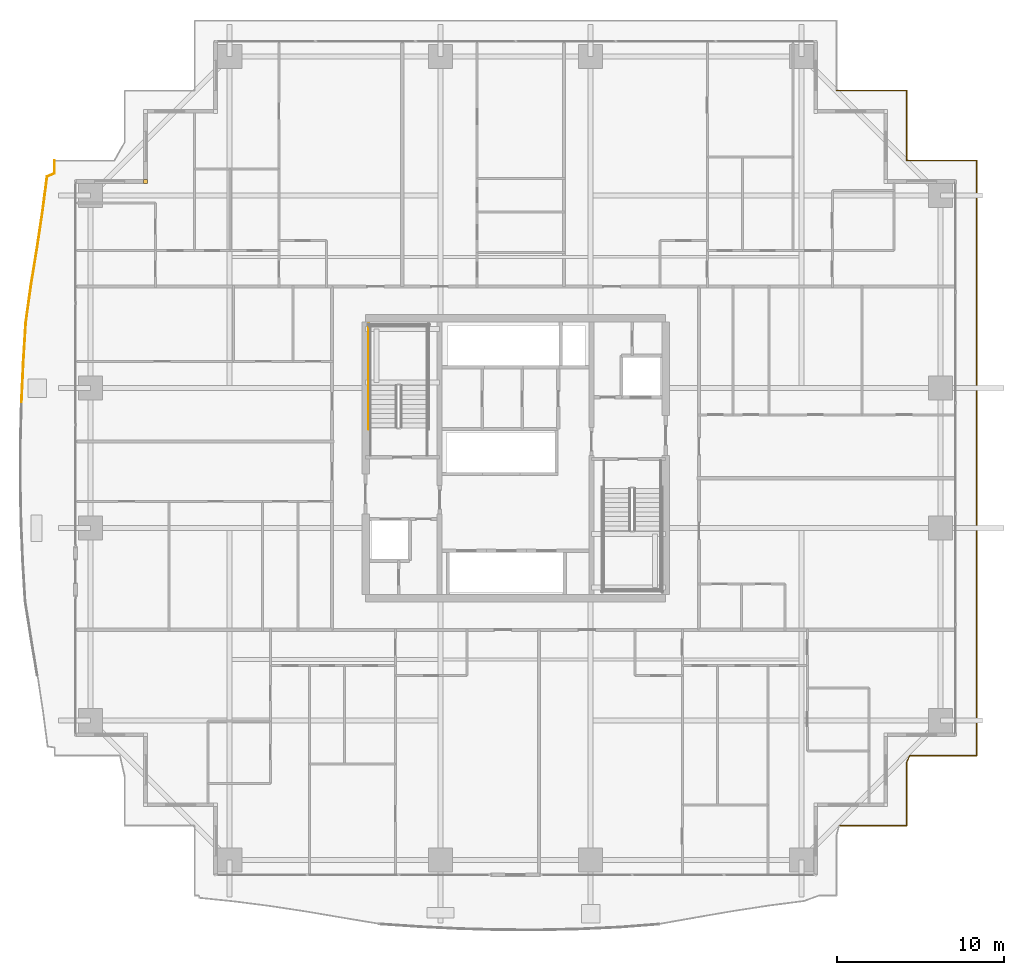
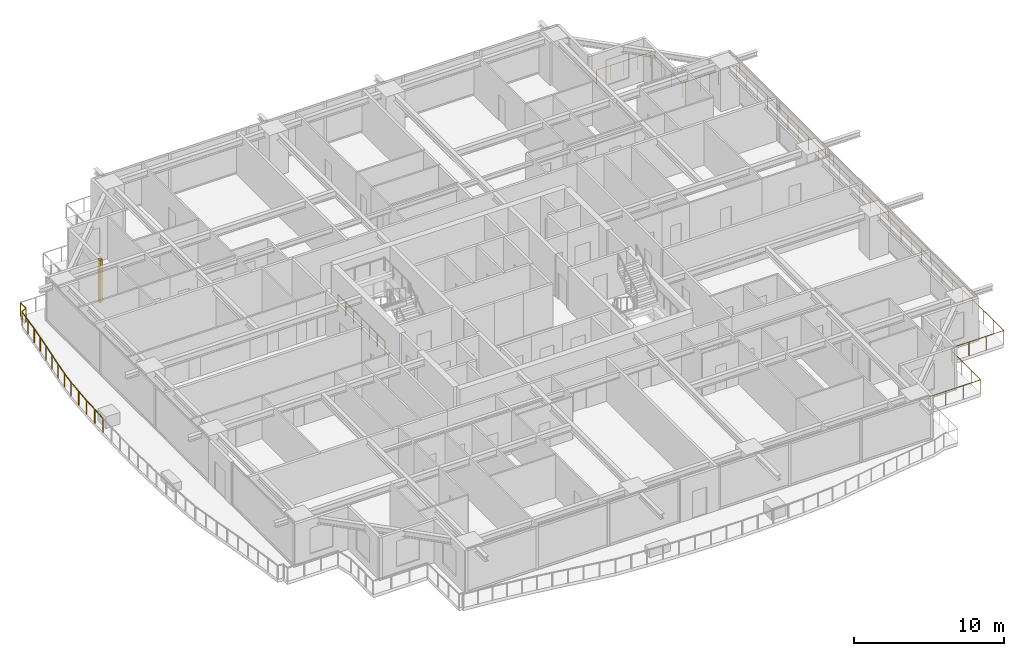
# One storey, part 37 of 39: 3 railings, 1 covering.
"""IFC4 building model written with IfcOpenShell, lengths in metres."""

from ifc_helpers import new_model, si_unit, direction, frame, origin, origin_2d, place, context, subcontext, project, spatial, rectangle, circle, extrude, source, transform, mapped, material, layer, layer_set, type_object, element, save


model = new_model("IFC4")

# Units and contexts
model_context = context("Model", 3, precision=1e-05, world=origin(), true_north=direction((0.0, 1.0)))
body_context = subcontext(model_context, "Body", "Model", "MODEL_VIEW")
ifc_project = project(units=[si_unit("LENGTHUNIT", "METRE"), si_unit("AREAUNIT", "SQUARE_METRE"), si_unit("VOLUMEUNIT", "CUBIC_METRE"), si_unit("PLANEANGLEUNIT", "RADIAN"), si_unit("MASSUNIT", "GRAM", prefix="KILO")], contexts=[model_context])

# Site, building, storey
site_placement = place(None, origin())
site = spatial("IfcSite", under=ifc_project, at=site_placement, CompositionType="ELEMENT")
building_placement = place(site_placement, origin())
building = spatial("IfcBuilding", under=site, at=building_placement, Name="Serunith Strait Residences", CompositionType="ELEMENT")
storey_placement = place(building_placement, frame((0.0, 0.0, 60.449951171875)))
storey = spatial("IfcBuildingStorey", under=building, at=storey_placement, Name="L14", CompositionType="ELEMENT", Elevation=60.449951171875)

# Railings
ifc_material_1 = material(Name="Stainless Steel & Laminated Glass Balustrade", Category="steel")
railing_type_1 = type_object("IfcRailingType", Name="RLG-BALC-1150", PredefinedType="BALUSTRADE", material=ifc_material_1)
railing_1_placement = place(storey_placement, frame((2.763671875, 28.5771484375, -0.050048828125)))
element("IfcRailing", 1, at=railing_1_placement, inside=storey, type_object=railing_type_1, Name="L14 Swirling Balcony Perimeter Balustrade 3", PredefinedType="BALUSTRADE", context=body_context, shape_type="SweptSolid", body=[
    extrude(circle(Radius=0.02392578125, at=origin_2d()), frame((0.0, 0.001953125, 1.1259765625), z_axis=(0.045542288004, 0.998962411707, 0.0), x_axis=(-0.998962411707, 0.045542288004, 0.0)), (0.0, 0.0, 1.0), 2.381591796875),
    extrude(circle(Radius=0.02392578125, at=origin_2d()), frame((0.10888671875, 2.385009765625, 1.1259765625), z_axis=(0.061663296043, 0.998097008272, 0.0), x_axis=(-0.998097008272, 0.061663296043, 0.0)), (0.0, 0.0, 1.0), 2.355712890625),
    extrude(circle(Radius=0.02392578125, at=origin_2d()), frame((0.25439453125, 4.740234375, 1.1259765625), z_axis=(0.13714180746, 0.990551424534, 0.0), x_axis=(-0.990551424534, 0.13714180746, 0.0)), (0.0, 0.0, 1.0), 2.288818359375),
    extrude(circle(Radius=0.02392578125, at=origin_2d()), frame((0.56884765625, 7.011474609375, 1.1259765625), z_axis=(0.161414880653, 0.986886638021, 0.0), x_axis=(-0.986886638021, 0.161414880653, 0.0)), (0.0, 0.0, 1.0), 2.225341796875),
    extrude(circle(Radius=0.02392578125, at=origin_2d()), frame((0.9287109375, 9.211669921875, 1.1259765625), z_axis=(0.148990824579, 0.98883857843, 0.0), x_axis=(-0.98883857843, 0.148990824579, 0.0)), (0.0, 0.0, 1.0), 2.18017578125),
    extrude(circle(Radius=0.02392578125, at=origin_2d()), frame((1.254150390625, 11.37158203125, 1.1259765625), z_axis=(0.129140449386, 0.991626312848, 0.0), x_axis=(-0.991626312848, 0.129140449386, 0.0)), (0.0, 0.0, 1.0), 2.149169921875),
    extrude(circle(Radius=0.02392578125, at=origin_2d()), frame((1.53369140625, 13.505615234375, 1.1259765625), z_axis=(0.908338804838, 0.41823512003, 0.0), x_axis=(-0.41823512003, 0.908338804838, 0.0)), (0.0, 0.0, 1.0), 0.485107421875),
    extrude(circle(Radius=0.02392578125, at=origin_2d()), frame((1.976318359375, 13.71142578125, 1.1259765625), z_axis=(0.0, 1.0, 0.0), x_axis=(-1.0, 0.0, 0.0)), (0.0, 0.0, 1.0), 0.76953125),
    extrude(circle(Radius=0.02099609375, at=origin_2d()), origin(), (0.0, 0.0, 1.0), 1.099853515625),
    extrude(circle(Radius=0.02099609375, at=origin_2d()), frame((0.05419921875, 1.19140625, 0.0)), (0.0, 0.0, 1.0), 1.099853515625),
    extrude(circle(Radius=0.02099609375, at=origin_2d()), frame((0.108642578125, 2.383056640625, 0.0)), (0.0, 0.0, 1.0), 1.099853515625),
    extrude(circle(Radius=0.02099609375, at=origin_2d()), frame((0.181396484375, 3.560546875, 0.0)), (0.0, 0.0, 1.0), 1.099853515625),
    extrude(circle(Radius=0.02099609375, at=origin_2d()), frame((0.254150390625, 4.73828125, 0.0)), (0.0, 0.0, 1.0), 1.099853515625),
    extrude(circle(Radius=0.02099609375, at=origin_2d()), frame((0.411376953125, 5.8740234375, 0.0)), (0.0, 0.0, 1.0), 1.099853515625),
    extrude(circle(Radius=0.02099609375, at=origin_2d()), frame((0.568603515625, 7.009521484375, 0.0)), (0.0, 0.0, 1.0), 1.099853515625),
    extrude(circle(Radius=0.02099609375, at=origin_2d()), frame((0.74853515625, 8.109619140625, 0.0)), (0.0, 0.0, 1.0), 1.099853515625),
    extrude(circle(Radius=0.02099609375, at=origin_2d()), frame((0.928466796875, 9.209716796875, 0.0)), (0.0, 0.0, 1.0), 1.099853515625),
    extrude(circle(Radius=0.02099609375, at=origin_2d()), frame((1.09130859375, 10.28955078125, 0.0)), (0.0, 0.0, 1.0), 1.099853515625),
    extrude(circle(Radius=0.02099609375, at=origin_2d()), frame((1.25390625, 11.36962890625, 0.0)), (0.0, 0.0, 1.0), 1.099853515625),
    extrude(circle(Radius=0.02099609375, at=origin_2d()), frame((1.39306640625, 12.437255859375, 0.0)), (0.0, 0.0, 1.0), 1.099853515625),
    extrude(circle(Radius=0.02099609375, at=origin_2d()), frame((1.531982421875, 13.5048828125, 0.0)), (0.0, 0.0, 1.0), 1.099853515625),
    extrude(circle(Radius=0.02099609375, at=origin_2d()), frame((1.976318359375, 13.70947265625, 0.0)), (0.0, 0.0, 1.0), 1.099853515625),
    extrude(circle(Radius=0.02099609375, at=origin_2d()), frame((1.976318359375, 14.48291015625, 0.0)), (0.0, 0.0, 1.0), 1.099853515625),
])
railing_2_placement = place(storey_placement, frame((51.659912109375, 47.260009765625, -0.050048828125)))
element("IfcRailing", 2, at=railing_2_placement, inside=storey, type_object=railing_type_1, Name="L14 Swirling Balcony Perimeter Balustrade 5", PredefinedType="BALUSTRADE", context=body_context, shape_type="SweptSolid", body=[
    extrude(circle(Radius=0.02392578125, at=origin_2d()), frame((0.001953125, 0.0, 1.1259765625), z_axis=(1.0, 0.0, 0.0), x_axis=(0.0, 1.0, 0.0)), (0.0, 0.0, 1.0), 4.1962890625),
    extrude(circle(Radius=0.02392578125, at=origin_2d()), frame((4.2001953125, -0.001953125, 1.1259765625), z_axis=(0.0, -1.0, 0.0), x_axis=(1.0, 0.0, 0.0)), (0.0, 0.0, 1.0), 4.196044921875),
    extrude(circle(Radius=0.02392578125, at=origin_2d()), frame((4.2021484375, -4.199951171875, 1.1259765625), z_axis=(1.0, 0.0, 0.0), x_axis=(0.0, 1.0, 0.0)), (0.0, 0.0, 1.0), 4.196044921875),
    extrude(circle(Radius=0.02392578125, at=origin_2d()), frame((8.400146484375, -4.201904296875, 1.1259765625), z_axis=(0.0, -1.0, 0.0), x_axis=(1.0, 0.0, 0.0)), (0.0, 0.0, 1.0), 35.716064453125),
    extrude(circle(Radius=0.02392578125, at=origin_2d()), frame((8.398193359375, -39.919921875, 1.1259765625), z_axis=(-1.0, 0.0, 0.0), x_axis=(0.0, -1.0, 0.0)), (0.0, 0.0, 1.0), 4.014892578125),
    extrude(circle(Radius=0.02392578125, at=origin_2d()), frame((4.380615234375, -39.921630859375, 1.1259765625), z_axis=(-0.414518347731, -0.91004095479, 0.0), x_axis=(0.91004095479, -0.414518347731, 0.0)), (0.0, 0.0, 1.0), 0.43310546875),
    extrude(circle(Radius=0.02392578125, at=origin_2d()), frame((4.2001953125, -40.319580078125, 1.1259765625), z_axis=(0.0, -1.0, 0.0), x_axis=(1.0, 0.0, 0.0)), (0.0, 0.0, 1.0), 3.798583984375),
    extrude(circle(Radius=0.02392578125, at=origin_2d()), frame((4.1982421875, -44.1201171875, 1.1259765625), z_axis=(-1.0, 0.0, 0.0), x_axis=(0.0, -1.0, 0.0)), (0.0, 0.0, 1.0), 4.04345703125),
    extrude(circle(Radius=0.02099609375, at=origin_2d()), origin(), (0.0, 0.0, 1.0), 1.099853515625),
    extrude(circle(Radius=0.02099609375, at=origin_2d()), frame((1.050048828125, 0.0, 0.0)), (0.0, 0.0, 1.0), 1.099853515625),
    extrude(circle(Radius=0.02099609375, at=origin_2d()), frame((2.10009765625, 0.0, 0.0)), (0.0, 0.0, 1.0), 1.099853515625),
    extrude(circle(Radius=0.02099609375, at=origin_2d()), frame((3.150146484375, 0.0, 0.0)), (0.0, 0.0, 1.0), 1.099853515625),
    extrude(circle(Radius=0.02099609375, at=origin_2d()), frame((4.2001953125, 0.0, 0.0)), (0.0, 0.0, 1.0), 1.099853515625),
    extrude(circle(Radius=0.02099609375, at=origin_2d()), frame((4.2001953125, -1.39990234375, 0.0)), (0.0, 0.0, 1.0), 1.099853515625),
    extrude(circle(Radius=0.02099609375, at=origin_2d()), frame((4.2001953125, -2.800048828125, 0.0)), (0.0, 0.0, 1.0), 1.099853515625),
    extrude(circle(Radius=0.02099609375, at=origin_2d()), frame((4.2001953125, -4.199951171875, 0.0)), (0.0, 0.0, 1.0), 1.099853515625),
    extrude(circle(Radius=0.02099609375, at=origin_2d()), frame((5.60009765625, -4.199951171875, 0.0)), (0.0, 0.0, 1.0), 1.099853515625),
    extrude(circle(Radius=0.02099609375, at=origin_2d()), frame((7.000244140625, -4.199951171875, 0.0)), (0.0, 0.0, 1.0), 1.099853515625),
    extrude(circle(Radius=0.02099609375, at=origin_2d()), frame((8.400146484375, -4.199951171875, 0.0)), (0.0, 0.0, 1.0), 1.099853515625),
    extrude(circle(Radius=0.02099609375, at=origin_2d()), frame((8.400146484375, -5.57373046875, 0.0)), (0.0, 0.0, 1.0), 1.099853515625),
    extrude(circle(Radius=0.02099609375, at=origin_2d()), frame((8.400146484375, -6.94775390625, 0.0)), (0.0, 0.0, 1.0), 1.099853515625),
    extrude(circle(Radius=0.02099609375, at=origin_2d()), frame((8.400146484375, -8.321533203125, 0.0)), (0.0, 0.0, 1.0), 1.099853515625),
    extrude(circle(Radius=0.02099609375, at=origin_2d()), frame((8.400146484375, -9.6953125, 0.0)), (0.0, 0.0, 1.0), 1.099853515625),
    extrude(circle(Radius=0.02099609375, at=origin_2d()), frame((8.400146484375, -11.069091796875, 0.0)), (0.0, 0.0, 1.0), 1.099853515625),
    extrude(circle(Radius=0.02099609375, at=origin_2d()), frame((8.400146484375, -12.443115234375, 0.0)), (0.0, 0.0, 1.0), 1.099853515625),
    extrude(circle(Radius=0.02099609375, at=origin_2d()), frame((8.400146484375, -13.81689453125, 0.0)), (0.0, 0.0, 1.0), 1.099853515625),
    extrude(circle(Radius=0.02099609375, at=origin_2d()), frame((8.400146484375, -15.190673828125, 0.0)), (0.0, 0.0, 1.0), 1.099853515625),
    extrude(circle(Radius=0.02099609375, at=origin_2d()), frame((8.400146484375, -16.564453125, 0.0)), (0.0, 0.0, 1.0), 1.099853515625),
    extrude(circle(Radius=0.02099609375, at=origin_2d()), frame((8.400146484375, -17.9384765625, 0.0)), (0.0, 0.0, 1.0), 1.099853515625),
    extrude(circle(Radius=0.02099609375, at=origin_2d()), frame((8.400146484375, -19.312255859375, 0.0)), (0.0, 0.0, 1.0), 1.099853515625),
    extrude(circle(Radius=0.02099609375, at=origin_2d()), frame((8.400146484375, -20.68603515625, 0.0)), (0.0, 0.0, 1.0), 1.099853515625),
    extrude(circle(Radius=0.02099609375, at=origin_2d()), frame((8.400146484375, -22.06005859375, 0.0)), (0.0, 0.0, 1.0), 1.099853515625),
    extrude(circle(Radius=0.02099609375, at=origin_2d()), frame((8.400146484375, -23.433837890625, 0.0)), (0.0, 0.0, 1.0), 1.099853515625),
    extrude(circle(Radius=0.02099609375, at=origin_2d()), frame((8.400146484375, -24.8076171875, 0.0)), (0.0, 0.0, 1.0), 1.099853515625),
    extrude(circle(Radius=0.02099609375, at=origin_2d()), frame((8.400146484375, -26.181396484375, 0.0)), (0.0, 0.0, 1.0), 1.099853515625),
    extrude(circle(Radius=0.02099609375, at=origin_2d()), frame((8.400146484375, -27.555419921875, 0.0)), (0.0, 0.0, 1.0), 1.099853515625),
    extrude(circle(Radius=0.02099609375, at=origin_2d()), frame((8.400146484375, -28.92919921875, 0.0)), (0.0, 0.0, 1.0), 1.099853515625),
    extrude(circle(Radius=0.02099609375, at=origin_2d()), frame((8.400146484375, -30.302978515625, 0.0)), (0.0, 0.0, 1.0), 1.099853515625),
    extrude(circle(Radius=0.02099609375, at=origin_2d()), frame((8.400146484375, -31.6767578125, 0.0)), (0.0, 0.0, 1.0), 1.099853515625),
    extrude(circle(Radius=0.02099609375, at=origin_2d()), frame((8.400146484375, -33.05078125, 0.0)), (0.0, 0.0, 1.0), 1.099853515625),
    extrude(circle(Radius=0.02099609375, at=origin_2d()), frame((8.400146484375, -34.424560546875, 0.0)), (0.0, 0.0, 1.0), 1.099853515625),
    extrude(circle(Radius=0.02099609375, at=origin_2d()), frame((8.400146484375, -35.79833984375, 0.0)), (0.0, 0.0, 1.0), 1.099853515625),
    extrude(circle(Radius=0.02099609375, at=origin_2d()), frame((8.400146484375, -37.172119140625, 0.0)), (0.0, 0.0, 1.0), 1.099853515625),
    extrude(circle(Radius=0.02099609375, at=origin_2d()), frame((8.400146484375, -38.546142578125, 0.0)), (0.0, 0.0, 1.0), 1.099853515625),
    extrude(circle(Radius=0.02099609375, at=origin_2d()), frame((8.400146484375, -39.919921875, 0.0)), (0.0, 0.0, 1.0), 1.099853515625),
    extrude(circle(Radius=0.02099609375, at=origin_2d()), frame((7.060546875, -39.919921875, 0.0)), (0.0, 0.0, 1.0), 1.099853515625),
    extrude(circle(Radius=0.02099609375, at=origin_2d()), frame((5.720947265625, -39.919921875, 0.0)), (0.0, 0.0, 1.0), 1.099853515625),
    extrude(circle(Radius=0.02099609375, at=origin_2d()), frame((4.38134765625, -39.919921875, 0.0)), (0.0, 0.0, 1.0), 1.099853515625),
    extrude(circle(Radius=0.02099609375, at=origin_2d()), frame((4.2001953125, -40.317626953125, 0.0)), (0.0, 0.0, 1.0), 1.099853515625),
    extrude(circle(Radius=0.02099609375, at=origin_2d()), frame((4.2001953125, -41.585205078125, 0.0)), (0.0, 0.0, 1.0), 1.099853515625),
    extrude(circle(Radius=0.02099609375, at=origin_2d()), frame((4.2001953125, -42.8525390625, 0.0)), (0.0, 0.0, 1.0), 1.099853515625),
    extrude(circle(Radius=0.02099609375, at=origin_2d()), frame((4.2001953125, -44.1201171875, 0.0)), (0.0, 0.0, 1.0), 1.099853515625),
    extrude(circle(Radius=0.02099609375, at=origin_2d()), frame((2.85107421875, -44.1201171875, 0.0)), (0.0, 0.0, 1.0), 1.099853515625),
    extrude(circle(Radius=0.02099609375, at=origin_2d()), frame((1.501953125, -44.1201171875, 0.0)), (0.0, 0.0, 1.0), 1.099853515625),
    extrude(circle(Radius=0.02099609375, at=origin_2d()), frame((0.15283203125, -44.1201171875, 0.0)), (0.0, 0.0, 1.0), 1.099853515625),
])
ifc_material_2 = material(Name="Brushed stainless steel 316L", Category="steel")
railing_type_2 = type_object("IfcRailingType", Name="RLG-STAIR-GUARD", PredefinedType="BALUSTRADE", material=ifc_material_2)
railing_3_placement = place(storey_placement, frame((23.60009765625, 26.929931640625, 0.0)))
element("IfcRailing", 3, at=railing_3_placement, inside=storey, type_object=railing_type_2, Name="L14 ST-1 stair guard 11", PredefinedType="BALUSTRADE", context=body_context, shape_type="SweptSolid", body=[
    extrude(circle(Radius=0.02392578125, at=origin_2d()), frame((0.0, 0.001953125, 1.076171875), z_axis=(0.0, 1.0, 0.0), x_axis=(-1.0, 0.0, 0.0)), (0.0, 0.0, 1.0), 6.316162109375),
    extrude(circle(Radius=0.02099609375, at=origin_2d()), origin(), (0.0, 0.0, 1.0), 1.050048828125),
    extrude(circle(Radius=0.02099609375, at=origin_2d()), frame((0.0, 1.05322265625, 0.0)), (0.0, 0.0, 1.0), 1.050048828125),
    extrude(circle(Radius=0.02099609375, at=origin_2d()), frame((0.0, 2.106689453125, 0.0)), (0.0, 0.0, 1.0), 1.050048828125),
    extrude(circle(Radius=0.02099609375, at=origin_2d()), frame((0.0, 3.16015625, 0.0)), (0.0, 0.0, 1.0), 1.050048828125),
    extrude(circle(Radius=0.02099609375, at=origin_2d()), frame((0.0, 4.21337890625, 0.0)), (0.0, 0.0, 1.0), 1.050048828125),
    extrude(circle(Radius=0.02099609375, at=origin_2d()), frame((0.0, 5.2666015625, 0.0)), (0.0, 0.0, 1.0), 1.050048828125),
    extrude(circle(Radius=0.02099609375, at=origin_2d()), frame((0.0, 6.320068359375, 0.0)), (0.0, 0.0, 1.0), 1.050048828125),
])

# Covering
ifc_material_3 = material(Name="Pale-Champagne Anodised Aluminium", Category="aluminium")
ifc_layer = layer(ifc_material_3, 0.219970703125, Name="Pale-Champagne Anodised Aluminium")
ifc_layer_set = layer_set([ifc_layer], Name="Pale-Champagne Anodised Aluminium")
covering_type = type_object("IfcCoveringType", Name="COV-CORN-TRIM", PredefinedType="CLADDING", material=ifc_layer_set)
shared_shape = source(origin(), body_context, "Body", "SweptSolid", [
    extrude(rectangle(XDim=0.221923828125, YDim=0.221923828125, at=origin_2d()), origin(), (0.0, 0.0, 1.0), 3.47509765625),
])
covering_placement = place(storey_placement, frame((10.199951171875, 41.800048828125, 0.0), z_axis=(0.0, 0.0, 1.0), x_axis=(1.0, 0.0, 0.0)))
element("IfcCovering", 4, at=covering_placement, inside=storey, type_object=covering_type, Name="L14 Girih Serrated Corner Trim Post 14", PredefinedType="CLADDING", context=body_context, shape_type="MappedRepresentation", body=[
    mapped(shared_shape, transform((0.0, 0.0, 0.0), scale=1.0)),
])

save(model, "model.ifc")
